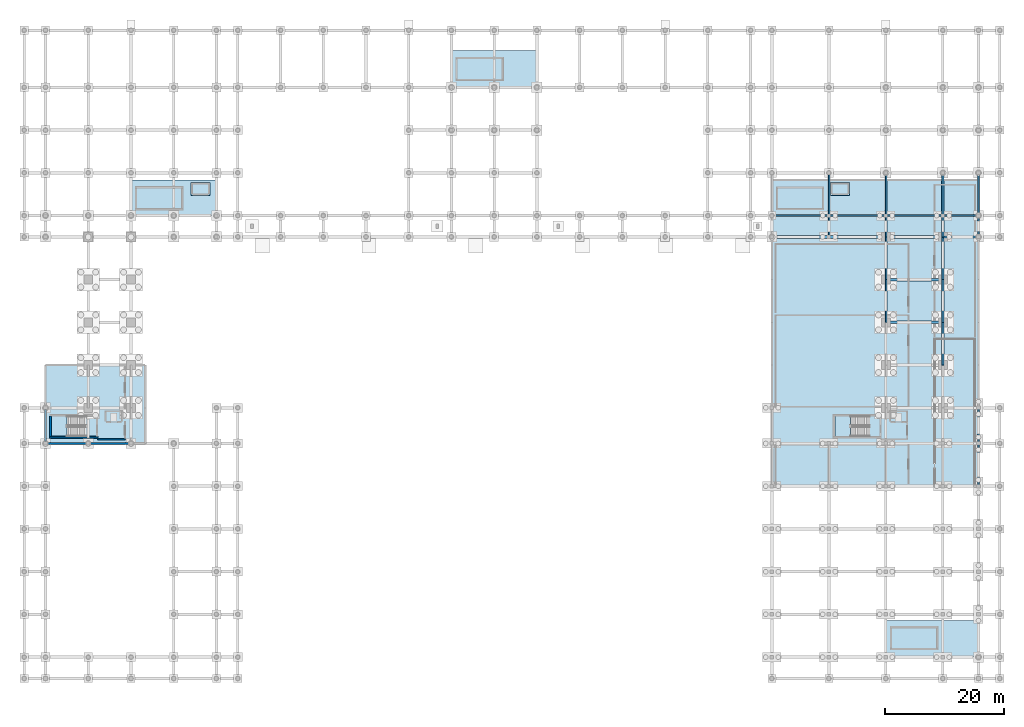
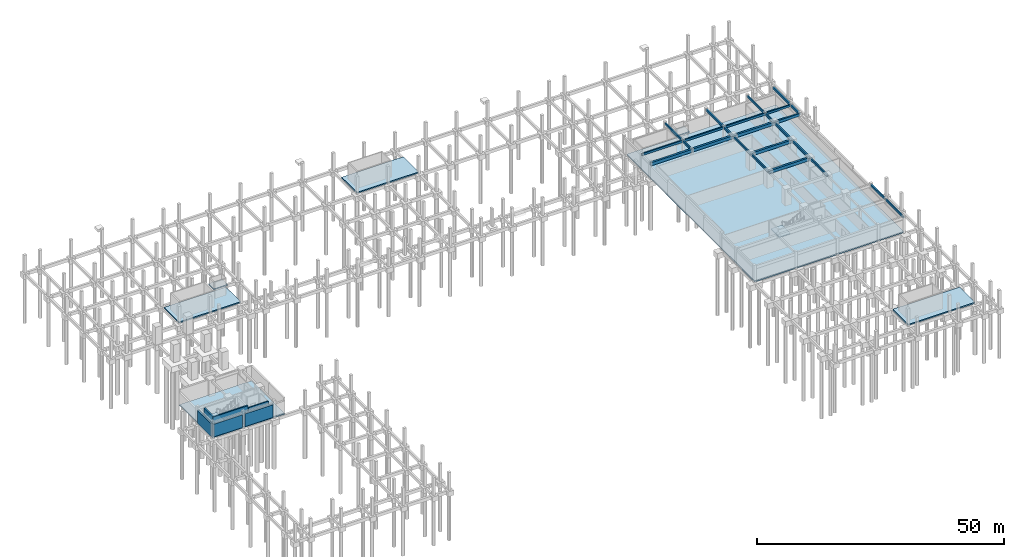
# One storey, part 13 of 20: 25 beams, 9 slabs, 6 walls, 2 elements without a shape of their own.
"""IFC4 building model written with IfcOpenShell, lengths in metres."""

from ifc_helpers import new_model, si_unit, direction, frame, frame_2d, origin, origin_2d, place, context, subcontext, project, spatial, polyline, rectangle, outline, extrude, material, layer, layer_set, material_profile, profile_set, type_object, element, aggregate, save


model = new_model("IFC4")

# Units and contexts
model_context = context("Model", 3, precision=1e-05, world=origin(), true_north=direction((0.0, 1.0)))
body_context = subcontext(model_context, "Body", "Model", "MODEL_VIEW")
ifc_project = project(units=[si_unit("LENGTHUNIT", "METRE"), si_unit("AREAUNIT", "SQUARE_METRE"), si_unit("VOLUMEUNIT", "CUBIC_METRE"), si_unit("PLANEANGLEUNIT", "RADIAN"), si_unit("MASSUNIT", "GRAM", prefix="KILO")], contexts=[model_context])

# Site, building, storey
site_placement = place(None, origin())
site = spatial("IfcSite", under=ifc_project, at=site_placement, CompositionType="ELEMENT")
building_placement = place(site_placement, origin())
building = spatial("IfcBuilding", under=site, at=building_placement, Name="Nzembalo Square Collegiate School", CompositionType="ELEMENT")
storey_placement = place(building_placement, frame((0.0, 0.0, -4.080078125)))
storey = spatial("IfcBuildingStorey", under=building, at=storey_placement, Name="B1", CompositionType="ELEMENT", Elevation=-4.080078125)

# Beams
ifc_material_1 = material(Name="Concrete C35/45", Category="concrete")
ifc_material_profile_1 = material_profile(ifc_material_1, rectangle(XDim=0.35009765625, YDim=0.64990234375, at=origin_2d()), Name="RC 350x650")
ifc_profile_set_1 = profile_set([ifc_material_profile_1], Name="Concrete C35/45")
beam_type_1 = type_object("IfcBeamType", Name="B01", PredefinedType="BEAM", material=ifc_profile_set_1)
beam_1_placement = place(storey_placement, frame((159.60009765625, 79.199951171875, 3.469970703125), z_axis=(1.0, 0.0, 0.0), x_axis=(0.0, 1.0, 0.0)))
element("IfcBeam", 1, at=beam_1_placement, inside=storey, type_object=beam_type_1, Name="Beam B01 B1", PredefinedType="BEAM", context=body_context, shape_type="SweptSolid", body=[
    extrude(rectangle(XDim=0.35009765625, YDim=0.64990234375, at=origin_2d()), origin(), (0.0, 0.0, 1.0), 6.0),
])
ifc_material_2 = material(Name="Concrete C35/45", Category="concrete")
ifc_material_profile_2 = material_profile(ifc_material_2, rectangle(XDim=0.300048828125, YDim=0.5, at=origin_2d()), Name="RC 300x500")
ifc_profile_set_2 = profile_set([ifc_material_profile_2], Name="Concrete C35/45")
beam_type_2 = type_object("IfcBeamType", Name="B02", PredefinedType="BEAM", material=ifc_profile_set_2)
beam_2_placement = place(storey_placement, frame((140.39990234375, 79.199951171875, 3.545166015625), z_axis=(0.0, 1.0, 0.0), x_axis=(-1.0, 0.0, 0.0)))
element("IfcBeam", 2, at=beam_2_placement, inside=storey, type_object=beam_type_2, Name="Beam B02 B1", PredefinedType="BEAM", context=body_context, shape_type="SweptSolid", body=[
    extrude(rectangle(XDim=0.300048828125, YDim=0.5, at=origin_2d()), origin(), (0.0, 0.0, 1.0), 3.60009765625),
])
for number, where, z_axis, x_axis, name in (
    (3, (140.39990234375, 82.800048828125, 3.545166015625), (0.0, 1.0, 0.0), (-1.0, 0.0, 0.0), "Beam B02 B1"),
    (4, (150.0, 64.800048828125, 3.545166015625), (0.0, 1.0, 0.0), (-1.0, 0.0, 0.0), "Beam B02 B1"),
    (5, (150.0, 72.0, 3.545166015625), (0.0, 1.0, 0.0), (-1.0, 0.0, 0.0), "Beam B02 B1"),
):
    element("IfcBeam", number, at=place(storey_placement, frame(where, z_axis=z_axis, x_axis=x_axis)), inside=storey, type_object=beam_type_2, Name=name, PredefinedType="BEAM", context=body_context, shape_type="SweptSolid", body=[
        extrude(rectangle(XDim=0.300048828125, YDim=0.5, at=origin_2d()), origin(), (0.0, 0.0, 1.0), 7.199951171875),
    ])
beam_3_placement = place(storey_placement, frame((150.0, 79.199951171875, 3.545166015625), z_axis=(0.0, 1.0, 0.0), x_axis=(-1.0, 0.0, 0.0)))
element("IfcBeam", 6, at=beam_3_placement, inside=storey, type_object=beam_type_2, Name="Beam B02 B1", PredefinedType="BEAM", context=body_context, shape_type="SweptSolid", body=[
    extrude(rectangle(XDim=0.300048828125, YDim=0.5, at=origin_2d()), origin(), (0.0, 0.0, 1.0), 3.60009765625),
])
for number, where, z_axis, x_axis, name in (
    (7, (150.0, 82.800048828125, 3.545166015625), (0.0, 1.0, 0.0), (-1.0, 0.0, 0.0), "Beam B02 B1"),
    (8, (159.60009765625, 57.60009765625, 3.545166015625), (0.0, 1.0, 0.0), (-1.0, 0.0, 0.0), "Beam B02 B1"),
    (9, (159.60009765625, 64.800048828125, 3.545166015625), (0.0, 1.0, 0.0), (-1.0, 0.0, 0.0), "Beam B02 B1"),
    (10, (159.60009765625, 72.0, 3.545166015625), (0.0, 1.0, 0.0), (-1.0, 0.0, 0.0), "Beam B02 B1"),
):
    element("IfcBeam", number, at=place(storey_placement, frame(where, z_axis=z_axis, x_axis=x_axis)), inside=storey, type_object=beam_type_2, Name=name, PredefinedType="BEAM", context=body_context, shape_type="SweptSolid", body=[
        extrude(rectangle(XDim=0.300048828125, YDim=0.5, at=origin_2d()), origin(), (0.0, 0.0, 1.0), 7.199951171875),
    ])
beam_4_placement = place(storey_placement, frame((159.60009765625, 79.199951171875, 3.545166015625), z_axis=(0.0, 1.0, 0.0), x_axis=(-1.0, 0.0, 0.0)))
element("IfcBeam", 11, at=beam_4_placement, inside=storey, type_object=beam_type_2, Name="Beam B02 B1", PredefinedType="BEAM", context=body_context, shape_type="SweptSolid", body=[
    extrude(rectangle(XDim=0.300048828125, YDim=0.5, at=origin_2d()), origin(), (0.0, 0.0, 1.0), 3.60009765625),
])
beam_5_placement = place(storey_placement, frame((159.60009765625, 82.800048828125, 3.545166015625), z_axis=(0.0, 1.0, 0.0), x_axis=(-1.0, 0.0, 0.0)))
element("IfcBeam", 12, at=beam_5_placement, inside=storey, type_object=beam_type_2, Name="Beam B02 B1", PredefinedType="BEAM", context=body_context, shape_type="SweptSolid", body=[
    extrude(rectangle(XDim=0.300048828125, YDim=0.5, at=origin_2d()), origin(), (0.0, 0.0, 1.0), 7.199951171875),
])
ifc_material_3 = material(Name="Concrete C35/45", Category="concrete")
ifc_material_profile_3 = material_profile(ifc_material_3, rectangle(XDim=0.300048828125, YDim=0.5, at=origin_2d()), Name="RC 300x500")
ifc_profile_set_3 = profile_set([ifc_material_profile_3], Name="Concrete C35/45")
beam_type_3 = type_object("IfcBeamType", Name="SP01", PredefinedType="SPANDREL", material=ifc_profile_set_3)
beam_6_placement = place(storey_placement, frame((130.800048828125, 82.800048828125, 3.545166015625), z_axis=(1.0, 0.0, 0.0), x_axis=(0.0, 1.0, 0.0)))
element("IfcBeam", 13, at=beam_6_placement, inside=storey, type_object=beam_type_3, Name="Beam SP01 B1", PredefinedType="SPANDREL", context=body_context, shape_type="SweptSolid", body=[
    extrude(rectangle(XDim=0.300048828125, YDim=0.5, at=origin_2d()), origin(), (0.0, 0.0, 1.0), 9.599853515625),
])
for number, where, z_axis, x_axis, name in (
    (14, (140.39990234375, 82.800048828125, 3.545166015625), (1.0, 0.0, 0.0), (0.0, 1.0, 0.0), "Beam SP01 B1"),
    (15, (150.0, 82.800048828125, 3.545166015625), (1.0, 0.0, 0.0), (0.0, 1.0, 0.0), "Beam SP01 B1"),
):
    element("IfcBeam", number, at=place(storey_placement, frame(where, z_axis=z_axis, x_axis=x_axis)), inside=storey, type_object=beam_type_3, Name=name, PredefinedType="SPANDREL", context=body_context, shape_type="SweptSolid", body=[
        extrude(rectangle(XDim=0.300048828125, YDim=0.5, at=origin_2d()), origin(), (0.0, 0.0, 1.0), 9.60009765625),
    ])
beam_7_placement = place(storey_placement, frame((159.60009765625, 82.800048828125, 3.545166015625), z_axis=(1.0, 0.0, 0.0), x_axis=(0.0, 1.0, 0.0)))
element("IfcBeam", 16, at=beam_7_placement, inside=storey, type_object=beam_type_3, Name="Beam SP01 B1", PredefinedType="SPANDREL", context=body_context, shape_type="SweptSolid", body=[
    extrude(rectangle(XDim=0.300048828125, YDim=0.5, at=origin_2d()), origin(), (0.0, 0.0, 1.0), 6.0),
])
beam_8_placement = place(storey_placement, frame((165.60009765625, 37.199951171875, 3.545166015625), z_axis=(0.0, 1.0, 0.0), x_axis=(-1.0, 0.0, 0.0)))
element("IfcBeam", 17, at=beam_8_placement, inside=storey, type_object=beam_type_3, Name="Beam SP01 B1", PredefinedType="SPANDREL", context=body_context, shape_type="SweptSolid", body=[
    extrude(rectangle(XDim=0.300048828125, YDim=0.5, at=origin_2d()), origin(), (0.0, 0.0, 1.0), 7.199951171875),
])
beam_9_placement = place(storey_placement, frame((165.60009765625, 44.39990234375, 3.545166015625), z_axis=(0.0, 1.0, 0.0), x_axis=(-1.0, 0.0, 0.0)))
element("IfcBeam", 18, at=beam_9_placement, inside=storey, type_object=beam_type_3, Name="Beam SP01 B1", PredefinedType="SPANDREL", context=body_context, shape_type="SweptSolid", body=[
    extrude(rectangle(XDim=0.300048828125, YDim=0.5, at=origin_2d()), origin(), (0.0, 0.0, 1.0), 6.0),
])
beam_10_placement = place(storey_placement, frame((165.60009765625, 79.199951171875, 3.545166015625), z_axis=(0.0, 1.0, 0.0), x_axis=(-1.0, 0.0, 0.0)))
element("IfcBeam", 19, at=beam_10_placement, inside=storey, type_object=beam_type_3, Name="Beam SP01 B1", PredefinedType="SPANDREL", context=body_context, shape_type="SweptSolid", body=[
    extrude(rectangle(XDim=0.300048828125, YDim=0.5, at=origin_2d()), origin(), (0.0, 0.0, 1.0), 3.60009765625),
])
beam_11_placement = place(storey_placement, frame((165.60009765625, 82.800048828125, 3.545166015625), z_axis=(0.0, 1.0, 0.0), x_axis=(-1.0, 0.0, 0.0)))
element("IfcBeam", 20, at=beam_11_placement, inside=storey, type_object=beam_type_3, Name="Beam SP01 B1", PredefinedType="SPANDREL", context=body_context, shape_type="SweptSolid", body=[
    extrude(rectangle(XDim=0.300048828125, YDim=0.5, at=origin_2d()), origin(), (0.0, 0.0, 1.0), 7.199951171875),
])
ifc_material_4 = material(Name="Concrete C35/45", Category="concrete")
ifc_material_profile_4 = material_profile(ifc_material_4, rectangle(XDim=0.449951171875, YDim=0.75, at=origin_2d()), Name="RC 450x750")
ifc_profile_set_4 = profile_set([ifc_material_profile_4], Name="Concrete C35/45")
beam_type_4 = type_object("IfcBeamType", Name="TG01", PredefinedType="BEAM", material=ifc_profile_set_4)
for number, where, z_axis, x_axis, name in (
    (21, (150.0, 64.800048828125, 3.420166015625), (1.0, 0.0, 0.0), (0.0, 1.0, 0.0), "Beam TG01 B1"),
    (22, (150.0, 72.0, 3.420166015625), (1.0, 0.0, 0.0), (0.0, 1.0, 0.0), "Beam TG01 B1"),
):
    element("IfcBeam", number, at=place(storey_placement, frame(where, z_axis=z_axis, x_axis=x_axis)), inside=storey, type_object=beam_type_4, Name=name, PredefinedType="BEAM", context=body_context, shape_type="SweptSolid", body=[
        extrude(rectangle(XDim=0.449951171875, YDim=0.75, at=origin_2d()), origin(), (0.0, 0.0, 1.0), 9.60009765625),
    ])
beam_12_placement = place(storey_placement, frame((130.800048828125, 79.199951171875, 3.420166015625), z_axis=(1.0, 0.0, 0.0), x_axis=(0.0, 1.0, 0.0)))
element("IfcBeam", 23, at=beam_12_placement, inside=storey, type_object=beam_type_4, Name="Beam TG01 B1", PredefinedType="BEAM", context=body_context, shape_type="SweptSolid", body=[
    extrude(rectangle(XDim=0.449951171875, YDim=0.75, at=origin_2d()), origin(), (0.0, 0.0, 1.0), 9.599853515625),
])
for number, where, z_axis, x_axis, name in (
    (24, (140.39990234375, 79.199951171875, 3.420166015625), (1.0, 0.0, 0.0), (0.0, 1.0, 0.0), "Beam TG01 B1"),
    (25, (150.0, 79.199951171875, 3.420166015625), (1.0, 0.0, 0.0), (0.0, 1.0, 0.0), "Beam TG01 B1"),
):
    element("IfcBeam", number, at=place(storey_placement, frame(where, z_axis=z_axis, x_axis=x_axis)), inside=storey, type_object=beam_type_4, Name=name, PredefinedType="BEAM", context=body_context, shape_type="SweptSolid", body=[
        extrude(rectangle(XDim=0.449951171875, YDim=0.75, at=origin_2d()), origin(), (0.0, 0.0, 1.0), 9.60009765625),
    ])

# Stair, slab
ifc_material_5 = material(Name="Precast concrete C40/50", Category="concrete")
stair_type = type_object("IfcStairType", Name="ST-24R", PredefinedType="HALF_TURN_STAIR", material=ifc_material_5)
stair_1_placement = place(storey_placement, origin())
stair_1 = element("IfcStair", 26, at=stair_1_placement, inside=storey, type_object=stair_type, Name="Escape stair ST-01 (C1 B1)", PredefinedType="HALF_TURN_STAIR")
ifc_material_6 = material(Name="Precast concrete C40/50", Category="concrete")
ifc_layer_1 = layer(ifc_material_6, 0.199951171875, Name="Precast concrete C40/50")
ifc_layer_set_1 = layer_set([ifc_layer_1], Name="Precast concrete C40/50")
slab_type_1 = type_object("IfcSlabType", Name="SL-LDG", PredefinedType="LANDING", material=ifc_layer_set_1)
slab_1_placement = place(storey_placement, frame((0.0, 0.0, 1.840087890625)))
slab_1 = element("IfcSlab", 27, at=slab_1_placement, type_object=slab_type_1, Name="ST-01 landing 1", PredefinedType="LANDING", context=body_context, shape_type="SweptSolid", body=[
    extrude(outline(polyline([(12.0, 49.0), (9.39990234375, 49.0), (9.39990234375, 45.60009765625), (12.0, 45.60009765625), (12.0, 49.0)])), origin(), (0.0, 0.0, 1.0), 0.199951171875),
])
aggregate(stair_1, [slab_1])

stair_2_placement = place(storey_placement, origin())
stair_2 = element("IfcStair", 28, at=stair_2_placement, inside=storey, type_object=stair_type, Name="Escape stair ST-18 (C5 B1)", PredefinedType="HALF_TURN_STAIR")
slab_2_placement = place(storey_placement, frame((0.0, 0.0, 1.840087890625)))
slab_2 = element("IfcSlab", 29, at=slab_2_placement, type_object=slab_type_1, Name="ST-18 landing 1", PredefinedType="LANDING", context=body_context, shape_type="SweptSolid", body=[
    extrude(outline(polyline([(144.0, 49.0), (141.39990234375, 49.0), (141.39990234375, 45.60009765625), (144.0, 45.60009765625), (144.0, 49.0)])), origin(), (0.0, 0.0, 1.0), 0.199951171875),
])
aggregate(stair_2, [slab_2])

# Slabs
ifc_material_7 = material(Name="Concrete C35/45", Category="concrete")
ifc_layer_2 = layer(ifc_material_7, 0.300048828125, Name="Concrete C35/45")
ifc_layer_set_2 = layer_set([ifc_layer_2], Name="Concrete C35/45")
slab_type_2 = type_object("IfcSlabType", Name="SL-PIT", PredefinedType="BASESLAB", material=ifc_layer_set_2)
slab_3_placement = place(storey_placement, frame((0.0, 0.0, 2.280029296875)))
element("IfcSlab", 30, at=slab_3_placement, inside=storey, type_object=slab_type_2, Name="Lift LF2 pit slab", PredefinedType="BASESLAB", context=body_context, shape_type="SweptSolid", body=[
    extrude(outline(polyline([(32.89990234375, 86.199951171875), (36.10009765625, 86.199951171875), (36.10009765625, 88.39990234375), (32.89990234375, 88.39990234375), (32.89990234375, 86.199951171875)])), origin(), (0.0, 0.0, 1.0), 0.300048828125),
])
slab_4_placement = place(storey_placement, frame((0.0, 0.0, 2.280029296875)))
element("IfcSlab", 31, at=slab_4_placement, inside=storey, type_object=slab_type_2, Name="Lift LF3 pit slab", PredefinedType="BASESLAB", context=body_context, shape_type="SweptSolid", body=[
    extrude(outline(polyline([(140.699951171875, 86.199951171875), (143.89990234375, 86.199951171875), (143.89990234375, 88.39990234375), (140.699951171875, 88.39990234375), (140.699951171875, 86.199951171875)])), origin(), (0.0, 0.0, 1.0), 0.300048828125),
])
ifc_material_8 = material(Name="Concrete C35/45", Category="concrete")
ifc_layer_3 = layer(ifc_material_8, 0.300048828125, Name="Concrete C35/45")
ifc_layer_set_3 = layer_set([ifc_layer_3], Name="Concrete C35/45")
slab_type_3 = type_object("IfcSlabType", Name="SL-B1", PredefinedType="BASESLAB", material=ifc_layer_set_3)
slab_5_placement = place(storey_placement, frame((0.0, 0.0, -0.2998046875)))
element("IfcSlab", 32, at=slab_5_placement, inside=storey, type_object=slab_type_3, Name="Slab SL-B1-01", PredefinedType="BASESLAB", context=body_context, shape_type="SweptSolid", body=[
    extrude(outline(polyline([(8.39990234375, 44.39990234375), (25.199951171875, 44.39990234375), (25.199951171875, 57.60009765625), (8.39990234375, 57.60009765625), (8.39990234375, 44.39990234375)])), origin(), (0.0, 0.0, 1.0), 0.2998046875),
])
slab_6_placement = place(storey_placement, frame((0.0, 0.0, -0.2998046875)))
element("IfcSlab", 33, at=slab_6_placement, inside=storey, type_object=slab_type_3, Name="Slab SL-B1-02", PredefinedType="BASESLAB", context=body_context, shape_type="SweptSolid", body=[
    extrude(outline(polyline([(22.800048828125, 82.800048828125), (37.199951171875, 82.800048828125), (37.199951171875, 88.800048828125), (22.800048828125, 88.800048828125), (22.800048828125, 82.800048828125)])), origin(), (0.0, 0.0, 1.0), 0.2998046875),
])
slab_7_placement = place(storey_placement, frame((0.0, 0.0, -0.2998046875)))
element("IfcSlab", 34, at=slab_7_placement, inside=storey, type_object=slab_type_3, Name="Slab SL-B1-03", PredefinedType="BASESLAB", context=body_context, shape_type="SweptSolid", body=[
    extrude(outline(polyline([(76.800048828125, 104.39990234375), (91.199951171875, 104.39990234375), (91.199951171875, 110.60009765625), (76.800048828125, 110.60009765625), (76.800048828125, 104.39990234375)])), origin(), (0.0, 0.0, 1.0), 0.2998046875),
])
slab_8_placement = place(storey_placement, frame((0.0, 0.0, -0.2998046875)))
element("IfcSlab", 35, at=slab_8_placement, inside=storey, type_object=slab_type_3, Name="Slab SL-B1-04", PredefinedType="BASESLAB", context=body_context, shape_type="SweptSolid", body=[
    extrude(outline(polyline([(130.800048828125, 37.199951171875), (165.60009765625, 37.199951171875), (165.60009765625, 88.800048828125), (130.800048828125, 88.800048828125), (130.800048828125, 37.199951171875)])), origin(), (0.0, 0.0, 1.0), 0.2998046875),
])
slab_9_placement = place(storey_placement, frame((0.0, 0.0, -0.2998046875)))
element("IfcSlab", 36, at=slab_9_placement, inside=storey, type_object=slab_type_3, Name="Slab SL-B1-05", PredefinedType="BASESLAB", context=body_context, shape_type="SweptSolid", body=[
    extrude(outline(polyline([(150.0, 8.39990234375), (165.60009765625, 8.39990234375), (165.60009765625, 14.60009765625), (150.0, 14.60009765625), (150.0, 8.39990234375)])), origin(), (0.0, 0.0, 1.0), 0.2998046875),
])

# Walls
ifc_material_9 = material(Name="Concrete C40/50", Category="concrete")
ifc_layer_4 = layer(ifc_material_9, 0.320068359375, Name="Concrete C40/50")
ifc_layer_set_4 = layer_set([ifc_layer_4], Name="Concrete C40/50")
wall_type_1 = type_object("IfcWallType", Name="SW01", PredefinedType="SHEAR", material=ifc_layer_set_4)
wall_1_placement = place(storey_placement, frame((9.239990234375, 45.60009765625, 0.0), z_axis=(0.0, 0.0, 1.0), x_axis=(0.0, 1.0, 0.0)))
element("IfcWall", 37, at=wall_1_placement, inside=storey, type_object=wall_type_1, Name="Core C1 stair shear wall W B1", PredefinedType="SHEAR", context=body_context, shape_type="SweptSolid", body=[
    extrude(rectangle(XDim=3.39990234375, YDim=0.320068359375, at=frame_2d((1.699951171875, 0.0))), origin(), (0.0, 0.0, 1.0), 4.080078125),
])
wall_2_placement = place(storey_placement, frame((9.080078125, 45.43994140625, 0.0), z_axis=(0.0, 0.0, 1.0), x_axis=(1.0, 0.0, 0.0)))
element("IfcWall", 38, at=wall_2_placement, inside=storey, type_object=wall_type_1, Name="Core C1 stair shear wall S B1", PredefinedType="SHEAR", context=body_context, shape_type="SweptSolid", body=[
    extrude(rectangle(XDim=8.139892578125, YDim=0.320068359375, at=frame_2d((4.06982421875, 0.0))), origin(), (0.0, 0.0, 1.0), 4.080078125),
])
ifc_material_10 = material(Name="Concrete C35/45", Category="concrete")
ifc_layer_5 = layer(ifc_material_10, 0.3798828125, Name="Concrete C35/45")
ifc_layer_set_5 = layer_set([ifc_layer_5], Name="Concrete C35/45")
wall_type_2 = type_object("IfcWallType", Name="W09", PredefinedType="SOLIDWALL", material=ifc_layer_set_5)
wall_3_placement = place(storey_placement, frame((8.39990234375, 44.701904296875, 0.0), z_axis=(0.0, 0.0, 1.0), x_axis=(0.0, 1.0, 0.0)))
element("IfcWall", 39, at=wall_3_placement, inside=storey, type_object=wall_type_2, Name="Exterior wall W09 B1", PredefinedType="SOLIDWALL", context=body_context, shape_type="SweptSolid", body=[
    extrude(rectangle(XDim=5.39599609375, YDim=0.3798828125, at=frame_2d((2.697998046875, 0.0))), origin(), (0.0, 0.0, 1.0), 3.13916015625),
])
wall_4_placement = place(storey_placement, frame((8.701904296875, 44.39990234375, 0.0), z_axis=(0.0, 0.0, 1.0), x_axis=(1.0, 0.0, 0.0)))
element("IfcWall", 40, at=wall_4_placement, inside=storey, type_object=wall_type_2, Name="Exterior wall W09 B1", PredefinedType="SOLIDWALL", context=body_context, shape_type="SweptSolid", body=[
    extrude(rectangle(XDim=6.59619140625, YDim=0.3798828125, at=frame_2d((3.298095703125, 0.0))), origin(), (0.0, 0.0, 1.0), 3.13916015625),
])
wall_5_placement = place(storey_placement, frame((15.902099609375, 44.39990234375, 0.0), z_axis=(0.0, 0.0, 1.0), x_axis=(1.0, 0.0, 0.0)))
element("IfcWall", 41, at=wall_5_placement, inside=storey, type_object=wall_type_2, Name="Exterior wall W09 B1", PredefinedType="SOLIDWALL", context=body_context, shape_type="SweptSolid", body=[
    extrude(rectangle(XDim=6.595947265625, YDim=0.3798828125, at=frame_2d((3.2978515625, 0.0))), origin(), (0.0, 0.0, 1.0), 3.13916015625),
])
ifc_material_11 = material(Name="Concrete blockwork C25/30", Category="masonry")
ifc_layer_6 = layer(ifc_material_11, 0.199951171875, Name="Concrete blockwork C25/30")
ifc_layer_set_6 = layer_set([ifc_layer_6], Name="Concrete blockwork C25/30")
wall_type_3 = type_object("IfcWallType", Name="W11", PredefinedType="PARTITIONING", material=ifc_layer_set_6)
wall_6_placement = place(storey_placement, frame((17.219970703125, 45.10009765625, 0.0), z_axis=(0.0, 0.0, 1.0), x_axis=(1.0, 0.0, 0.0)))
element("IfcWall", 42, at=wall_6_placement, inside=storey, type_object=wall_type_3, Name="Core C1 EI 60 lobby wall S B1", PredefinedType="PARTITIONING", context=body_context, shape_type="SweptSolid", body=[
    extrude(rectangle(XDim=4.580078125, YDim=0.199951171875, at=frame_2d((2.2900390625, 0.0))), origin(), (0.0, 0.0, 1.0), 3.774169921875),
])

save(model, "model.ifc")
